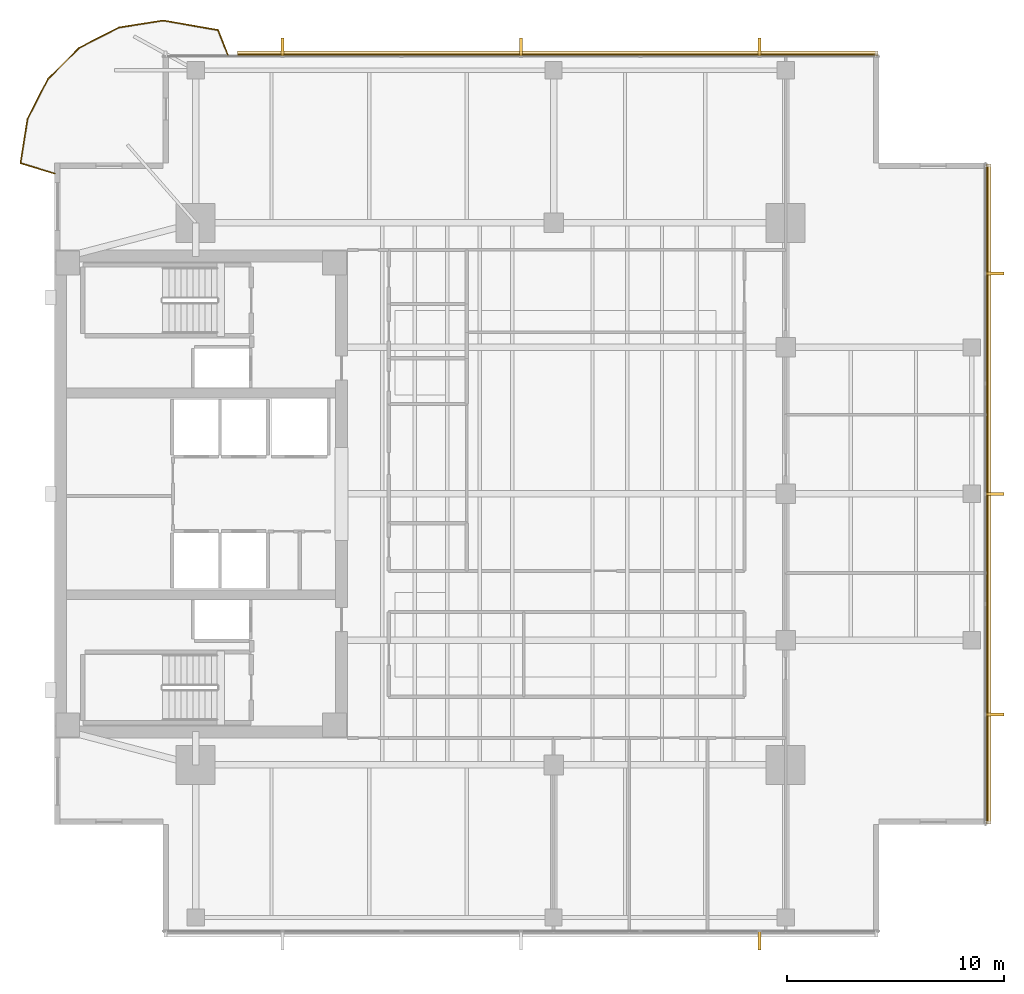
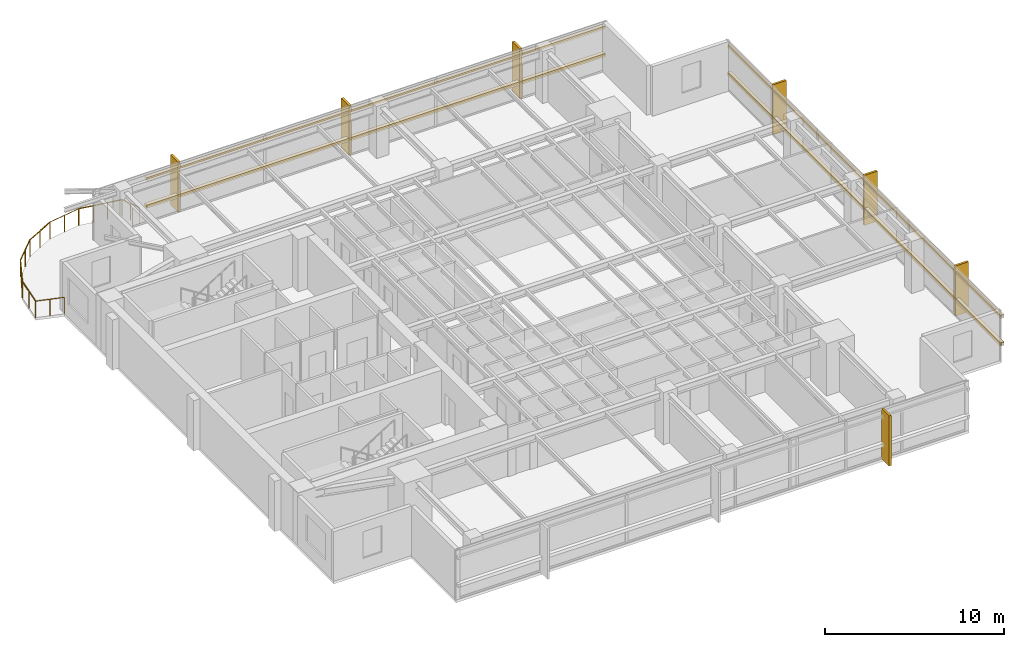
# One storey, part 14 of 14: 11 coverings, 8 railings, 4 shading devices.
"""IFC4 building model written with IfcOpenShell, lengths in metres."""

from ifc_helpers import new_model, si_unit, direction, frame, origin, origin_2d, place, context, subcontext, project, spatial, polyline, rectangle, circle, outline, extrude, material, layer, layer_set, material_profile, profile_set, type_object, element, save


model = new_model("IFC4")

# Units and contexts
model_context = context("Model", 3, precision=1e-05, world=origin(), true_north=direction((0.0, 1.0)))
body_context = subcontext(model_context, "Body", "Model", "MODEL_VIEW")
ifc_project = project(units=[si_unit("LENGTHUNIT", "METRE"), si_unit("AREAUNIT", "SQUARE_METRE"), si_unit("VOLUMEUNIT", "CUBIC_METRE"), si_unit("PLANEANGLEUNIT", "RADIAN"), si_unit("MASSUNIT", "GRAM", prefix="KILO")], contexts=[model_context])

# Site, building, storey
site_placement = place(None, origin())
site = spatial("IfcSite", under=ifc_project, at=site_placement, CompositionType="ELEMENT")
building_placement = place(site_placement, origin())
building = spatial("IfcBuilding", under=site, at=building_placement, Name="Kinhvarn Gate Tower", CompositionType="ELEMENT")
storey_placement = place(building_placement, frame((0.0, 0.0, 223.550048828125)))
storey = spatial("IfcBuildingStorey", under=building, at=storey_placement, Name="L59", CompositionType="ELEMENT", Elevation=223.550048828125)

# Coverings
ifc_material_1 = material(Name="Fired architectural terracotta", Category="masonry")
ifc_layer_1 = layer(ifc_material_1, 0.239990234375)
ifc_layer_set_1 = layer_set([ifc_layer_1], Name="Fired architectural terracotta")
covering_type_1 = type_object("IfcCoveringType", Name="COV-BAG-220", PredefinedType="CLADDING", material=ifc_layer_set_1)
for number, where, name in (
    (1, (0.0, 0.0, 0.93994140625), "Terracotta Horizontal Sunscreen Band TBG-220 (L59)"),
    (2, (0.0, 0.0, 2.81005859375), "Terracotta Horizontal Sunscreen Band TBG-220 (L59)"),
):
    element("IfcCovering", number, at=place(storey_placement, frame(where)), inside=storey, type_object=covering_type_1, Name=name, PredefinedType="CLADDING", context=body_context, shape_type="SweptSolid", body=[
        extrude(outline(polyline([(42.4599609375, 45.429931640625), (12.930908203125, 45.429931640625), (12.930908203125, 45.669921875), (42.4599609375, 45.669921875), (42.4599609375, 45.429931640625)])), origin(), (0.0, 0.0, 1.0), 0.219970703125),
    ])
for number, where, name in (
    (3, (0.0, 0.0, 0.93994140625), "Terracotta Horizontal Sunscreen Band TBG-220 (L59)"),
    (4, (0.0, 0.0, 2.81005859375), "Terracotta Horizontal Sunscreen Band TBG-220 (L59)"),
):
    element("IfcCovering", number, at=place(storey_placement, frame(where)), inside=storey, type_object=covering_type_1, Name=name, PredefinedType="CLADDING", context=body_context, shape_type="SweptSolid", body=[
        extrude(outline(polyline([(47.429931640625, 10.0400390625), (47.429931640625, 40.4599609375), (47.669921875, 40.4599609375), (47.669921875, 10.0400390625), (47.429931640625, 10.0400390625)])), origin(), (0.0, 0.0, 1.0), 0.219970703125),
    ])
ifc_layer_2 = layer(ifc_material_1, 0.139892578125)
ifc_layer_set_2 = layer_set([ifc_layer_2], Name="Fired architectural terracotta")
covering_type_2 = type_object("IfcCoveringType", Name="COV-FIN-850", PredefinedType="CLADDING", material=ifc_layer_set_2)
covering_1_placement = place(storey_placement, frame((0.0, 0.0, -0.02001953125)))
element("IfcCovering", 5, at=covering_1_placement, inside=storey, type_object=covering_type_2, Name="Vertical Terracotta Expressive Fin TFN-850 (L59)", PredefinedType="CLADDING", context=body_context, shape_type="SweptSolid", body=[
    extrude(outline(polyline([(36.929931640625, 5.080078125), (37.070068359375, 5.080078125), (37.070068359375, 4.22998046875), (36.929931640625, 4.22998046875), (36.929931640625, 5.080078125)])), origin(), (0.0, 0.0, 1.0), 3.409912109375),
])
covering_2_placement = place(storey_placement, frame((0.0, 0.0, -0.02001953125)))
element("IfcCovering", 6, at=covering_2_placement, inside=storey, type_object=covering_type_2, Name="Vertical Terracotta Expressive Fin TFN-850 (L59)", PredefinedType="CLADDING", context=body_context, shape_type="SweptSolid", body=[
    extrude(outline(polyline([(37.070068359375, 45.419921875), (36.929931640625, 45.419921875), (36.929931640625, 46.27001953125), (37.070068359375, 46.27001953125), (37.070068359375, 45.419921875)])), origin(), (0.0, 0.0, 1.0), 3.409912109375),
])
covering_3_placement = place(storey_placement, frame((0.0, 0.0, -0.02001953125)))
element("IfcCovering", 7, at=covering_3_placement, inside=storey, type_object=covering_type_2, Name="Vertical Terracotta Expressive Fin TFN-850 (L59)", PredefinedType="CLADDING", context=body_context, shape_type="SweptSolid", body=[
    extrude(outline(polyline([(26.070068359375, 45.419921875), (25.929931640625, 45.419921875), (25.929931640625, 46.27001953125), (26.070068359375, 46.27001953125), (26.070068359375, 45.419921875)])), origin(), (0.0, 0.0, 1.0), 3.409912109375),
])
covering_4_placement = place(storey_placement, frame((0.0, 0.0, -0.02001953125)))
element("IfcCovering", 8, at=covering_4_placement, inside=storey, type_object=covering_type_2, Name="Vertical Terracotta Expressive Fin TFN-850 (L59)", PredefinedType="CLADDING", context=body_context, shape_type="SweptSolid", body=[
    extrude(outline(polyline([(15.070068359375, 45.419921875), (14.929931640625, 45.419921875), (14.929931640625, 46.27001953125), (15.070068359375, 46.27001953125), (15.070068359375, 45.419921875)])), origin(), (0.0, 0.0, 1.0), 3.409912109375),
])
covering_5_placement = place(storey_placement, frame((0.0, 0.0, -0.02001953125)))
element("IfcCovering", 9, at=covering_5_placement, inside=storey, type_object=covering_type_2, Name="Vertical Terracotta Expressive Fin TFN-850 (L59)", PredefinedType="CLADDING", context=body_context, shape_type="SweptSolid", body=[
    extrude(outline(polyline([(47.419921875, 15.01318359375), (47.419921875, 15.1533203125), (48.27001953125, 15.1533203125), (48.27001953125, 15.01318359375), (47.419921875, 15.01318359375)])), origin(), (0.0, 0.0, 1.0), 3.409912109375),
])
covering_6_placement = place(storey_placement, frame((0.0, 0.0, -0.02001953125)))
element("IfcCovering", 10, at=covering_6_placement, inside=storey, type_object=covering_type_2, Name="Vertical Terracotta Expressive Fin TFN-850 (L59)", PredefinedType="CLADDING", context=body_context, shape_type="SweptSolid", body=[
    extrude(outline(polyline([(47.419921875, 25.179931640625), (47.419921875, 25.320068359375), (48.27001953125, 25.320068359375), (48.27001953125, 25.179931640625), (47.419921875, 25.179931640625)])), origin(), (0.0, 0.0, 1.0), 3.409912109375),
])
covering_7_placement = place(storey_placement, frame((0.0, 0.0, -0.02001953125)))
element("IfcCovering", 11, at=covering_7_placement, inside=storey, type_object=covering_type_2, Name="Vertical Terracotta Expressive Fin TFN-850 (L59)", PredefinedType="CLADDING", context=body_context, shape_type="SweptSolid", body=[
    extrude(outline(polyline([(47.419921875, 35.3466796875), (47.419921875, 35.48681640625), (48.27001953125, 35.48681640625), (48.27001953125, 35.3466796875), (47.419921875, 35.3466796875)])), origin(), (0.0, 0.0, 1.0), 3.409912109375),
])

# Railings
ifc_material_2 = material(Name="Clear low-e double glazing", Category="glass")
railing_type = type_object("IfcRailingType", Name="RL-BAL-1150", PredefinedType="BALUSTRADE", material=ifc_material_2)
railing_1_placement = place(storey_placement, frame((12.48095703125, 45.5, 0.0)))
element("IfcRailing", 12, at=railing_1_placement, inside=storey, type_object=railing_type, Name="S-Carve Balcony Guardrail Seg 1 (L59)", PredefinedType="BALUSTRADE", context=body_context, shape_type="SweptSolid", body=[
    extrude(circle(Radius=0.02392578125, at=origin_2d()), frame((0.0, 0.0, 1.1259765625), z_axis=(-0.368595923352, 0.929589718795, 0.0), x_axis=(-0.929589718795, -0.368595923352, 0.0)), (0.0, 0.0, 1.0), 1.220703125),
    extrude(circle(Radius=0.02099609375, at=origin_2d()), origin(), (0.0, 0.0, 1.0), 1.101806640625),
    extrude(circle(Radius=0.02099609375, at=origin_2d()), frame((-0.22509765625, 0.5673828125, 0.0)), (0.0, 0.0, 1.0), 1.101806640625),
    extrude(circle(Radius=0.02099609375, at=origin_2d()), frame((-0.449951171875, 1.134765625, 0.0)), (0.0, 0.0, 1.0), 1.101806640625),
])
railing_2_placement = place(storey_placement, frame((12.031005859375, 46.634765625, 0.0)))
element("IfcRailing", 13, at=railing_2_placement, inside=storey, type_object=railing_type, Name="S-Carve Balcony Guardrail Seg 2 (L59)", PredefinedType="BALUSTRADE", context=body_context, shape_type="SweptSolid", body=[
    extrude(circle(Radius=0.02392578125, at=origin_2d()), frame((0.0, 0.0, 1.1259765625), z_axis=(-0.985146821634, 0.171714122378, 0.0), x_axis=(-0.171714122378, -0.985146821634, 0.0)), (0.0, 0.0, 1.0), 2.569091796875),
    extrude(circle(Radius=0.02099609375, at=origin_2d()), origin(), (0.0, 0.0, 1.0), 1.101806640625),
    extrude(circle(Radius=0.02099609375, at=origin_2d()), frame((-0.84375, 0.14697265625, 0.0)), (0.0, 0.0, 1.0), 1.101806640625),
    extrude(circle(Radius=0.02099609375, at=origin_2d()), frame((-1.687255859375, 0.294189453125, 0.0)), (0.0, 0.0, 1.0), 1.101806640625),
    extrude(circle(Radius=0.02099609375, at=origin_2d()), frame((-2.531005859375, 0.441162109375, 0.0)), (0.0, 0.0, 1.0), 1.101806640625),
])
railing_3_placement = place(storey_placement, frame((9.5, 47.075927734375, 0.0)))
element("IfcRailing", 14, at=railing_3_placement, inside=storey, type_object=railing_type, Name="S-Carve Balcony Guardrail Seg 3 (L59)", PredefinedType="BALUSTRADE", context=body_context, shape_type="SweptSolid", body=[
    extrude(circle(Radius=0.02392578125, at=origin_2d()), frame((0.0, 0.0, 1.1259765625), z_axis=(-0.987692625188, -0.156407410789, 0.0), x_axis=(0.156407410789, -0.987692625188, 0.0)), (0.0, 0.0, 1.0), 2.057373046875),
    extrude(circle(Radius=0.02099609375, at=origin_2d()), origin(), (0.0, 0.0, 1.0), 1.101806640625),
    extrude(circle(Radius=0.02099609375, at=origin_2d()), frame((-1.01611328125, -0.160888671875, 0.0)), (0.0, 0.0, 1.0), 1.101806640625),
    extrude(circle(Radius=0.02099609375, at=origin_2d()), frame((-2.031982421875, -0.32177734375, 0.0)), (0.0, 0.0, 1.0), 1.101806640625),
])
railing_4_placement = place(storey_placement, frame((7.468017578125, 46.754150390625, 0.0)))
element("IfcRailing", 15, at=railing_4_placement, inside=storey, type_object=railing_type, Name="S-Carve Balcony Guardrail Seg 4 (L59)", PredefinedType="BALUSTRADE", context=body_context, shape_type="SweptSolid", body=[
    extrude(circle(Radius=0.02392578125, at=origin_2d()), frame((0.0, 0.0, 1.1259765625), z_axis=(-0.891007800955, -0.453987993935, 0.0), x_axis=(0.453987993935, -0.891007800955, 0.0)), (0.0, 0.0, 1.0), 2.0576171875),
    extrude(circle(Radius=0.02099609375, at=origin_2d()), origin(), (0.0, 0.0, 1.0), 1.101806640625),
    extrude(circle(Radius=0.02099609375, at=origin_2d()), frame((-0.91650390625, -0.467041015625, 0.0)), (0.0, 0.0, 1.0), 1.101806640625),
    extrude(circle(Radius=0.02099609375, at=origin_2d()), frame((-1.833251953125, -0.93408203125, 0.0)), (0.0, 0.0, 1.0), 1.101806640625),
])
railing_5_placement = place(storey_placement, frame((5.634765625, 45.820068359375, 0.0)))
element("IfcRailing", 16, at=railing_5_placement, inside=storey, type_object=railing_type, Name="S-Carve Balcony Guardrail Seg 5 (L59)", PredefinedType="BALUSTRADE", context=body_context, shape_type="SweptSolid", body=[
    extrude(circle(Radius=0.02392578125, at=origin_2d()), frame((0.0, 0.0, 1.1259765625), z_axis=(-0.707106781187, -0.707106781187, 0.0), x_axis=(0.707106781187, -0.707106781187, 0.0)), (0.0, 0.0, 1.0), 2.057373046875),
    extrude(circle(Radius=0.02099609375, at=origin_2d()), origin(), (0.0, 0.0, 1.0), 1.101806640625),
    extrude(circle(Radius=0.02099609375, at=origin_2d()), frame((-0.7275390625, -0.7275390625, 0.0)), (0.0, 0.0, 1.0), 1.101806640625),
    extrude(circle(Radius=0.02099609375, at=origin_2d()), frame((-1.454833984375, -1.454833984375, 0.0)), (0.0, 0.0, 1.0), 1.101806640625),
])
railing_6_placement = place(storey_placement, frame((4.179931640625, 44.365234375, 0.0)))
element("IfcRailing", 17, at=railing_6_placement, inside=storey, type_object=railing_type, Name="S-Carve Balcony Guardrail Seg 6 (L59)", PredefinedType="BALUSTRADE", context=body_context, shape_type="SweptSolid", body=[
    extrude(circle(Radius=0.02392578125, at=origin_2d()), frame((0.0, 0.0, 1.1259765625), z_axis=(-0.453987993935, -0.891007800955, 0.0), x_axis=(0.891007800955, -0.453987993935, 0.0)), (0.0, 0.0, 1.0), 2.0576171875),
    extrude(circle(Radius=0.02099609375, at=origin_2d()), origin(), (0.0, 0.0, 1.0), 1.101806640625),
    extrude(circle(Radius=0.02099609375, at=origin_2d()), frame((-0.467041015625, -0.91650390625, 0.0)), (0.0, 0.0, 1.0), 1.101806640625),
    extrude(circle(Radius=0.02099609375, at=origin_2d()), frame((-0.93408203125, -1.833251953125, 0.0)), (0.0, 0.0, 1.0), 1.101806640625),
])
railing_7_placement = place(storey_placement, frame((3.245849609375, 42.531982421875, 0.0)))
element("IfcRailing", 18, at=railing_7_placement, inside=storey, type_object=railing_type, Name="S-Carve Balcony Guardrail Seg 7 (L59)", PredefinedType="BALUSTRADE", context=body_context, shape_type="SweptSolid", body=[
    extrude(circle(Radius=0.02392578125, at=origin_2d()), frame((0.0, 0.0, 1.1259765625), z_axis=(-0.156407410789, -0.987692625188, 0.0), x_axis=(0.987692625188, -0.156407410789, 0.0)), (0.0, 0.0, 1.0), 2.057373046875),
    extrude(circle(Radius=0.02099609375, at=origin_2d()), origin(), (0.0, 0.0, 1.0), 1.101806640625),
    extrude(circle(Radius=0.02099609375, at=origin_2d()), frame((-0.160888671875, -1.01611328125, 0.0)), (0.0, 0.0, 1.0), 1.101806640625),
    extrude(circle(Radius=0.02099609375, at=origin_2d()), frame((-0.32177734375, -2.031982421875, 0.0)), (0.0, 0.0, 1.0), 1.101806640625),
])
railing_8_placement = place(storey_placement, frame((2.924072265625, 40.5, 0.0)))
element("IfcRailing", 19, at=railing_8_placement, inside=storey, type_object=railing_type, Name="S-Carve Balcony Guardrail Seg 8 (L59)", PredefinedType="BALUSTRADE", context=body_context, shape_type="SweptSolid", body=[
    extrude(circle(Radius=0.02392578125, at=origin_2d()), frame((0.0, 0.0, 1.1259765625), z_axis=(0.95611784811, -0.292982355315, 0.0), x_axis=(0.292982355315, 0.95611784811, 0.0)), (0.0, 0.0, 1.0), 1.648193359375),
    extrude(circle(Radius=0.02099609375, at=origin_2d()), origin(), (0.0, 0.0, 1.0), 1.101806640625),
    extrude(circle(Radius=0.02099609375, at=origin_2d()), frame((0.7880859375, -0.241455078125, 0.0)), (0.0, 0.0, 1.0), 1.101806640625),
    extrude(circle(Radius=0.02099609375, at=origin_2d()), frame((1.575927734375, -0.48291015625, 0.0)), (0.0, 0.0, 1.0), 1.101806640625),
])

# Shading devices
ifc_material_profile = material_profile(ifc_material_1, rectangle(XDim=0.050048828125, YDim=0.1201171875, at=origin_2d()), Name="TC 50x120")
ifc_profile_set = profile_set([ifc_material_profile], Name="Fired architectural terracotta")
shading_device_type = type_object("IfcShadingDeviceType", Name="SHD-BAG-140", PredefinedType="USERDEFINED", material=ifc_profile_set)
for number, where, z_axis, x_axis, name in (
    (20, (42.4599609375, 45.5, 1.050048828125), (-1.0, 0.0, 0.0), (0.0, -1.0, 0.0), "Upper Tower Terracotta Baguette Screen Rod 50x120 mm (L59)"),
    (21, (42.4599609375, 45.5, 2.919921875), (-1.0, 0.0, 0.0), (0.0, -1.0, 0.0), "Upper Tower Terracotta Baguette Screen Rod 50x120 mm (L59)"),
):
    element("IfcShadingDevice", number, at=place(storey_placement, frame(where, z_axis=z_axis, x_axis=x_axis)), inside=storey, type_object=shading_device_type, Name=name, ObjectType="BAGUETTE", PredefinedType="USERDEFINED", context=body_context, shape_type="SweptSolid", body=[
        extrude(rectangle(XDim=0.050048828125, YDim=0.1201171875, at=origin_2d()), origin(), (0.0, 0.0, 1.0), 29.529052734375),
    ])
for number, where, z_axis, x_axis, name in (
    (22, (47.5, 10.0400390625, 1.050048828125), (0.0, 1.0, 0.0), (-1.0, 0.0, 0.0), "Upper Tower Terracotta Baguette Screen Rod 50x120 mm (L59)"),
    (23, (47.5, 10.0400390625, 2.919921875), (0.0, 1.0, 0.0), (-1.0, 0.0, 0.0), "Upper Tower Terracotta Baguette Screen Rod 50x120 mm (L59)"),
):
    element("IfcShadingDevice", number, at=place(storey_placement, frame(where, z_axis=z_axis, x_axis=x_axis)), inside=storey, type_object=shading_device_type, Name=name, ObjectType="BAGUETTE", PredefinedType="USERDEFINED", context=body_context, shape_type="SweptSolid", body=[
        extrude(rectangle(XDim=0.050048828125, YDim=0.1201171875, at=origin_2d()), origin(), (0.0, 0.0, 1.0), 30.419921875),
    ])

save(model, "model.ifc")
